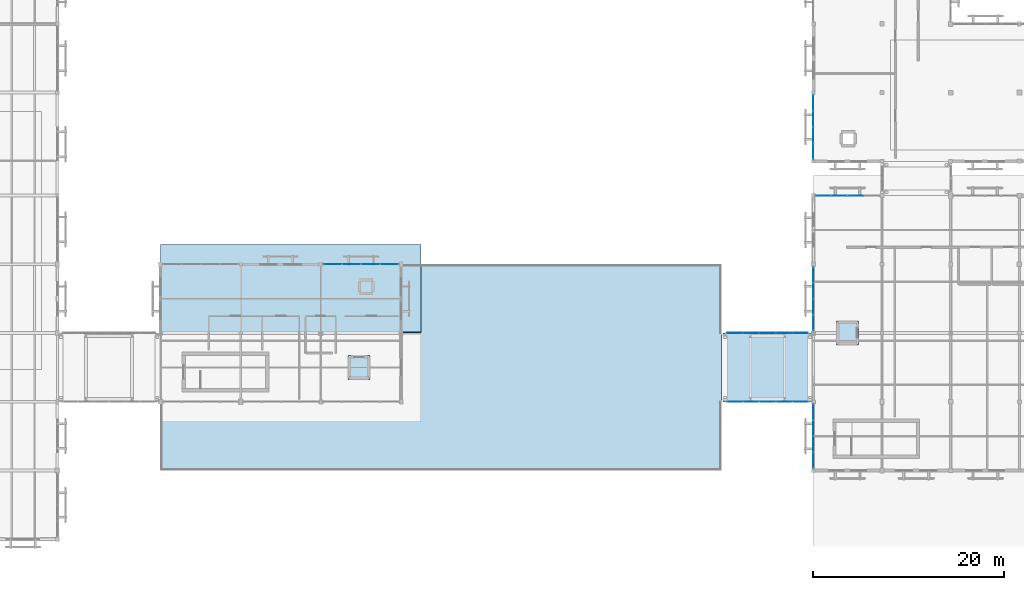
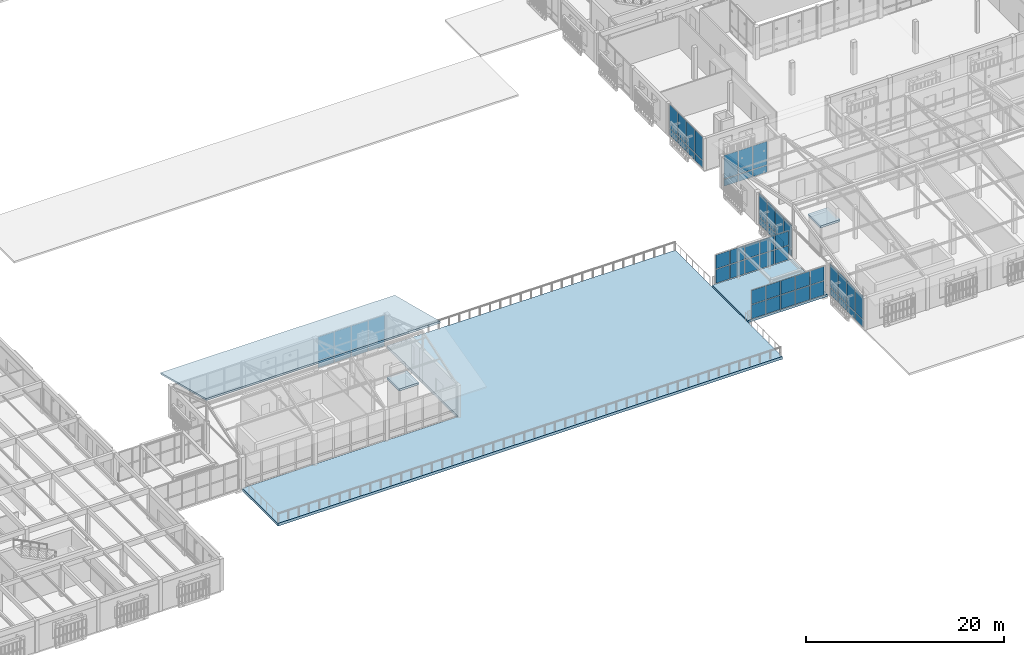
# One storey, part 73 of 112: 58 plates, 5 slabs, 7 elements without a shape of their own.
"""IFC4 building model written with IfcOpenShell, lengths in metres."""

from ifc_helpers import new_model, si_unit, direction, frame, origin, origin_2d, place, context, subcontext, project, spatial, polyline, rectangle, outline, extrude, material, layer, layer_set, type_object, element, aggregate, save


model = new_model("IFC4")

# Units and contexts
model_context = context("Model", 3, precision=1e-05, world=origin(), true_north=direction((0.0, 1.0)))
body_context = subcontext(model_context, "Body", "Model", "MODEL_VIEW")
ifc_project = project(units=[si_unit("LENGTHUNIT", "METRE"), si_unit("AREAUNIT", "SQUARE_METRE"), si_unit("VOLUMEUNIT", "CUBIC_METRE"), si_unit("PLANEANGLEUNIT", "RADIAN"), si_unit("MASSUNIT", "GRAM", prefix="KILO")], contexts=[model_context])

# Site, building, storey
site_placement = place(None, origin())
site = spatial("IfcSite", under=ifc_project, at=site_placement, CompositionType="ELEMENT")
building_placement = place(site_placement, origin())
building = spatial("IfcBuilding", under=site, at=building_placement, Name="Mazaris Harbour Polytechnic", CompositionType="ELEMENT")
storey_placement = place(building_placement, frame((0.0, 0.0, 13.800048828125)))
storey = spatial("IfcBuildingStorey", under=building, at=storey_placement, Name="L03", CompositionType="ELEMENT", Elevation=13.800048828125)

# Slabs
ifc_material_1 = material(Name="Glulam GL28h and Concrete C30/37", Category="concrete")
ifc_layer_1 = layer(ifc_material_1, 0.264892578125, Name="Glulam GL28h and Concrete C30/37")
ifc_layer_set_1 = layer_set([ifc_layer_1], Name="Glulam GL28h and Concrete C30/37")
slab_type_1 = type_object("IfcSlabType", Name="CLT Composite Floor 265", PredefinedType="FLOOR", material=ifc_layer_set_1)
slab_1_placement = place(storey_placement, frame((0.0, 0.0, -0.26513671875)))
element("IfcSlab", 1, at=slab_1_placement, inside=storey, type_object=slab_type_1, Name="PB-E1 L03 Bridge Deck", PredefinedType="FLOOR", context=body_context, shape_type="SweptSolid", body=[
    extrude(outline(polyline([(122.25, 21.60009765625), (122.25, 28.800048828125), (112.949951171875, 28.800048828125), (112.949951171875, 21.60009765625), (122.25, 21.60009765625)])), origin(), (0.0, 0.0, 1.0), 0.26513671875),
])
ifc_material_2 = material(Name="Glulam GL28h and Concrete C30/37", Category="concrete")
ifc_layer_2 = layer(ifc_material_2, 0.239990234375, Name="Glulam GL28h and Concrete C30/37")
ifc_layer_set_2 = layer_set([ifc_layer_2], Name="Glulam GL28h and Concrete C30/37")
slab_type_2 = type_object("IfcSlabType", Name="Insulated Flat Roof Slab 240", PredefinedType="ROOF", material=ifc_layer_set_2)
slab_2_placement = place(storey_placement, frame((0.0, 0.0, 3.639892578125)))
element("IfcSlab", 2, at=slab_2_placement, inside=storey, type_object=slab_type_2, Name="Lift LP-02 Overrun Roof Cap", PredefinedType="ROOF", context=body_context, shape_type="SweptSolid", body=[
    extrude(outline(polyline([(127.14990234375, 27.550048828125), (127.14990234375, 30.050048828125), (124.85009765625, 30.050048828125), (124.85009765625, 27.550048828125), (127.14990234375, 27.550048828125)])), origin(), (0.0, 0.0, 1.0), 0.239990234375),
])
slab_3_placement = place(storey_placement, frame((0.0, 0.0, 3.639892578125)))
element("IfcSlab", 3, at=slab_3_placement, inside=storey, type_object=slab_type_2, Name="Lift LP-03 Overrun Roof Cap", PredefinedType="ROOF", context=body_context, shape_type="SweptSolid", body=[
    extrude(outline(polyline([(75.949951171875, 23.949951171875), (75.949951171875, 26.449951171875), (73.64990234375, 26.449951171875), (73.64990234375, 23.949951171875), (75.949951171875, 23.949951171875)])), origin(), (0.0, 0.0, 1.0), 0.239990234375),
])

# Curtain wall, plates
ifc_material_3 = material(Name="Anodised Bronze Aluminium and Low-E Glass", Category="aluminium")
ifc_layer_3 = layer(ifc_material_3, 0.159912109375, Name="Anodised Bronze Aluminium and Low-E Glass")
ifc_layer_set_3 = layer_set([ifc_layer_3], Name="Anodised Bronze Aluminium and Low-E Glass")
curtain_wall_type_1 = type_object("IfcCurtainWallType", Name="Cloister Court Curtain Wall", PredefinedType="NOTDEFINED", material=ifc_layer_set_3)
curtain_wall_1_placement = place(storey_placement, origin())
curtain_wall_1 = element("IfcCurtainWall", 4, at=curtain_wall_1_placement, inside=storey, type_object=curtain_wall_type_1, Name="V2 L03 Curtain Wall 55", PredefinedType="NOTDEFINED")
ifc_material_4 = material(Name="Low-E Double Glazing", Category="glass")
ifc_layer_4 = layer(ifc_material_4, 0.028076171875, Name="Low-E Double Glazing")
ifc_layer_set_4 = layer_set([ifc_layer_4], Name="Low-E Double Glazing")
plate_type_1 = type_object("IfcPlateType", Name="Low-E Vision Glass Panel 28", PredefinedType="CURTAIN_PANEL", material=ifc_layer_set_4)
plate_1_placement = place(storey_placement, frame((123.4453125, 43.199951171875, 0.079833984375), z_axis=(0.0, 0.0, 1.0), x_axis=(1.0, 0.0, 0.0)))
plate_1 = element("IfcPlate", 5, at=plate_1_placement, type_object=plate_type_1, Name="CW-02 panel 1.1", PredefinedType="CURTAIN_PANEL", context=body_context, shape_type="SweptSolid", body=[
    extrude(rectangle(XDim=1.58642578125, YDim=0.028076171875, at=origin_2d()), origin(), (0.0, 0.0, 1.0), 0.830078125),
])
plate_2_placement = place(storey_placement, frame((123.4453125, 43.199951171875, 0.990234375), z_axis=(0.0, 0.0, 1.0), x_axis=(1.0, 0.0, 0.0)))
plate_2 = element("IfcPlate", 6, at=plate_2_placement, type_object=plate_type_1, Name="CW-02 panel 1.2", PredefinedType="CURTAIN_PANEL", context=body_context, shape_type="SweptSolid", body=[
    extrude(rectangle(XDim=1.58642578125, YDim=0.028076171875, at=origin_2d()), origin(), (0.0, 0.0, 1.0), 2.889892578125),
])
plate_3_placement = place(storey_placement, frame((125.1318359375, 43.199951171875, 0.079833984375), z_axis=(0.0, 0.0, 1.0), x_axis=(1.0, 0.0, 0.0)))
plate_3 = element("IfcPlate", 7, at=plate_3_placement, type_object=plate_type_1, Name="CW-02 panel 2.1", PredefinedType="CURTAIN_PANEL", context=body_context, shape_type="SweptSolid", body=[
    extrude(rectangle(XDim=1.62646484375, YDim=0.028076171875, at=origin_2d()), origin(), (0.0, 0.0, 1.0), 0.830078125),
])
plate_4_placement = place(storey_placement, frame((125.1318359375, 43.199951171875, 0.990234375), z_axis=(0.0, 0.0, 1.0), x_axis=(1.0, 0.0, 0.0)))
plate_4 = element("IfcPlate", 8, at=plate_4_placement, type_object=plate_type_1, Name="CW-02 panel 2.2", PredefinedType="CURTAIN_PANEL", context=body_context, shape_type="SweptSolid", body=[
    extrude(rectangle(XDim=1.62646484375, YDim=0.028076171875, at=origin_2d()), origin(), (0.0, 0.0, 1.0), 2.889892578125),
])
plate_5_placement = place(storey_placement, frame((126.838134765625, 43.199951171875, 0.079833984375), z_axis=(0.0, 0.0, 1.0), x_axis=(1.0, 0.0, 0.0)))
plate_5 = element("IfcPlate", 9, at=plate_5_placement, type_object=plate_type_1, Name="CW-02 panel 3.1", PredefinedType="CURTAIN_PANEL", context=body_context, shape_type="SweptSolid", body=[
    extrude(rectangle(XDim=1.62646484375, YDim=0.028076171875, at=origin_2d()), origin(), (0.0, 0.0, 1.0), 0.830078125),
])
plate_6_placement = place(storey_placement, frame((126.838134765625, 43.199951171875, 0.990234375), z_axis=(0.0, 0.0, 1.0), x_axis=(1.0, 0.0, 0.0)))
plate_6 = element("IfcPlate", 10, at=plate_6_placement, type_object=plate_type_1, Name="CW-02 panel 3.2", PredefinedType="CURTAIN_PANEL", context=body_context, shape_type="SweptSolid", body=[
    extrude(rectangle(XDim=1.62646484375, YDim=0.028076171875, at=origin_2d()), origin(), (0.0, 0.0, 1.0), 2.889892578125),
])
aggregate(curtain_wall_1, [plate_1, plate_2, plate_3, plate_4, plate_5, plate_6])

curtain_wall_2_placement = place(storey_placement, origin())
curtain_wall_2 = element("IfcCurtainWall", 11, at=curtain_wall_2_placement, inside=storey, type_object=curtain_wall_type_1, Name="V2 L03 Curtain Wall 58", PredefinedType="NOTDEFINED")
plate_7_placement = place(storey_placement, frame((122.39990234375, 15.4541015625, 0.079833984375), z_axis=(0.0, 0.0, 1.0), x_axis=(0.0, 1.0, 0.0)))
plate_7 = element("IfcPlate", 12, at=plate_7_placement, type_object=plate_type_1, Name="CW-02 panel 1.1", PredefinedType="CURTAIN_PANEL", context=body_context, shape_type="SweptSolid", body=[
    extrude(rectangle(XDim=1.583984375, YDim=0.028076171875, at=origin_2d()), origin(), (0.0, 0.0, 1.0), 0.830078125),
])
plate_8_placement = place(storey_placement, frame((122.39990234375, 15.4541015625, 0.990234375), z_axis=(0.0, 0.0, 1.0), x_axis=(0.0, 1.0, 0.0)))
plate_8 = element("IfcPlate", 13, at=plate_8_placement, type_object=plate_type_1, Name="CW-02 panel 1.2", PredefinedType="CURTAIN_PANEL", context=body_context, shape_type="SweptSolid", body=[
    extrude(rectangle(XDim=1.583984375, YDim=0.028076171875, at=origin_2d()), origin(), (0.0, 0.0, 1.0), 2.889892578125),
])
plate_9_placement = place(storey_placement, frame((122.39990234375, 17.137939453125, 0.079833984375), z_axis=(0.0, 0.0, 1.0), x_axis=(0.0, 1.0, 0.0)))
plate_9 = element("IfcPlate", 14, at=plate_9_placement, type_object=plate_type_1, Name="CW-02 panel 2.1", PredefinedType="CURTAIN_PANEL", context=body_context, shape_type="SweptSolid", body=[
    extrude(rectangle(XDim=1.6240234375, YDim=0.028076171875, at=origin_2d()), origin(), (0.0, 0.0, 1.0), 0.830078125),
])
plate_10_placement = place(storey_placement, frame((122.39990234375, 17.137939453125, 0.990234375), z_axis=(0.0, 0.0, 1.0), x_axis=(0.0, 1.0, 0.0)))
plate_10 = element("IfcPlate", 15, at=plate_10_placement, type_object=plate_type_1, Name="CW-02 panel 2.2", PredefinedType="CURTAIN_PANEL", context=body_context, shape_type="SweptSolid", body=[
    extrude(rectangle(XDim=1.6240234375, YDim=0.028076171875, at=origin_2d()), origin(), (0.0, 0.0, 1.0), 2.889892578125),
])
plate_11_placement = place(storey_placement, frame((122.39990234375, 18.842041015625, 0.079833984375), z_axis=(0.0, 0.0, 1.0), x_axis=(0.0, 1.0, 0.0)))
plate_11 = element("IfcPlate", 16, at=plate_11_placement, type_object=plate_type_1, Name="CW-02 panel 3.1", PredefinedType="CURTAIN_PANEL", context=body_context, shape_type="SweptSolid", body=[
    extrude(rectangle(XDim=1.6240234375, YDim=0.028076171875, at=origin_2d()), origin(), (0.0, 0.0, 1.0), 0.830078125),
])
plate_12_placement = place(storey_placement, frame((122.39990234375, 18.842041015625, 0.990234375), z_axis=(0.0, 0.0, 1.0), x_axis=(0.0, 1.0, 0.0)))
plate_12 = element("IfcPlate", 17, at=plate_12_placement, type_object=plate_type_1, Name="CW-02 panel 3.2", PredefinedType="CURTAIN_PANEL", context=body_context, shape_type="SweptSolid", body=[
    extrude(rectangle(XDim=1.6240234375, YDim=0.028076171875, at=origin_2d()), origin(), (0.0, 0.0, 1.0), 2.889892578125),
])
plate_13_placement = place(storey_placement, frame((122.39990234375, 20.52587890625, 0.079833984375), z_axis=(0.0, 0.0, 1.0), x_axis=(0.0, 1.0, 0.0)))
plate_13 = element("IfcPlate", 18, at=plate_13_placement, type_object=plate_type_1, Name="CW-02 panel 4.1", PredefinedType="CURTAIN_PANEL", context=body_context, shape_type="SweptSolid", body=[
    extrude(rectangle(XDim=1.583984375, YDim=0.028076171875, at=origin_2d()), origin(), (0.0, 0.0, 1.0), 0.830078125),
])
plate_14_placement = place(storey_placement, frame((122.39990234375, 20.52587890625, 0.990234375), z_axis=(0.0, 0.0, 1.0), x_axis=(0.0, 1.0, 0.0)))
plate_14 = element("IfcPlate", 19, at=plate_14_placement, type_object=plate_type_1, Name="CW-02 panel 4.2", PredefinedType="CURTAIN_PANEL", context=body_context, shape_type="SweptSolid", body=[
    extrude(rectangle(XDim=1.583984375, YDim=0.028076171875, at=origin_2d()), origin(), (0.0, 0.0, 1.0), 2.889892578125),
])
aggregate(curtain_wall_2, [plate_7, plate_8, plate_9, plate_10, plate_11, plate_12, plate_13, plate_14])

curtain_wall_3_placement = place(storey_placement, origin())
curtain_wall_3 = element("IfcCurtainWall", 20, at=curtain_wall_3_placement, inside=storey, type_object=curtain_wall_type_1, Name="V2 L03 Curtain Wall 59", PredefinedType="NOTDEFINED")
plate_15_placement = place(storey_placement, frame((122.39990234375, 29.884033203125, 0.079833984375), z_axis=(0.0, 0.0, 1.0), x_axis=(0.0, 1.0, 0.0)))
plate_15 = element("IfcPlate", 21, at=plate_15_placement, type_object=plate_type_1, Name="CW-02 panel 1.1", PredefinedType="CURTAIN_PANEL", context=body_context, shape_type="SweptSolid", body=[
    extrude(rectangle(XDim=1.56396484375, YDim=0.028076171875, at=origin_2d()), origin(), (0.0, 0.0, 1.0), 0.830078125),
])
plate_16_placement = place(storey_placement, frame((122.39990234375, 29.884033203125, 0.990234375), z_axis=(0.0, 0.0, 1.0), x_axis=(0.0, 1.0, 0.0)))
plate_16 = element("IfcPlate", 22, at=plate_16_placement, type_object=plate_type_1, Name="CW-02 panel 1.2", PredefinedType="CURTAIN_PANEL", context=body_context, shape_type="SweptSolid", body=[
    extrude(rectangle(XDim=1.56396484375, YDim=0.028076171875, at=origin_2d()), origin(), (0.0, 0.0, 1.0), 2.889892578125),
])
plate_17_placement = place(storey_placement, frame((122.39990234375, 31.548095703125, 0.079833984375), z_axis=(0.0, 0.0, 1.0), x_axis=(0.0, 1.0, 0.0)))
plate_17 = element("IfcPlate", 23, at=plate_17_placement, type_object=plate_type_1, Name="CW-02 panel 2.1", PredefinedType="CURTAIN_PANEL", context=body_context, shape_type="SweptSolid", body=[
    extrude(rectangle(XDim=1.60400390625, YDim=0.028076171875, at=origin_2d()), origin(), (0.0, 0.0, 1.0), 0.830078125),
])
plate_18_placement = place(storey_placement, frame((122.39990234375, 31.548095703125, 0.990234375), z_axis=(0.0, 0.0, 1.0), x_axis=(0.0, 1.0, 0.0)))
plate_18 = element("IfcPlate", 24, at=plate_18_placement, type_object=plate_type_1, Name="CW-02 panel 2.2", PredefinedType="CURTAIN_PANEL", context=body_context, shape_type="SweptSolid", body=[
    extrude(rectangle(XDim=1.60400390625, YDim=0.028076171875, at=origin_2d()), origin(), (0.0, 0.0, 1.0), 2.889892578125),
])
plate_19_placement = place(storey_placement, frame((122.39990234375, 33.23193359375, 0.079833984375), z_axis=(0.0, 0.0, 1.0), x_axis=(0.0, 1.0, 0.0)))
plate_19 = element("IfcPlate", 25, at=plate_19_placement, type_object=plate_type_1, Name="CW-02 panel 3.1", PredefinedType="CURTAIN_PANEL", context=body_context, shape_type="SweptSolid", body=[
    extrude(rectangle(XDim=1.60400390625, YDim=0.028076171875, at=origin_2d()), origin(), (0.0, 0.0, 1.0), 0.830078125),
])
plate_20_placement = place(storey_placement, frame((122.39990234375, 33.23193359375, 0.990234375), z_axis=(0.0, 0.0, 1.0), x_axis=(0.0, 1.0, 0.0)))
plate_20 = element("IfcPlate", 26, at=plate_20_placement, type_object=plate_type_1, Name="CW-02 panel 3.2", PredefinedType="CURTAIN_PANEL", context=body_context, shape_type="SweptSolid", body=[
    extrude(rectangle(XDim=1.60400390625, YDim=0.028076171875, at=origin_2d()), origin(), (0.0, 0.0, 1.0), 2.889892578125),
])
plate_21_placement = place(storey_placement, frame((122.39990234375, 34.89599609375, 0.079833984375), z_axis=(0.0, 0.0, 1.0), x_axis=(0.0, 1.0, 0.0)))
plate_21 = element("IfcPlate", 27, at=plate_21_placement, type_object=plate_type_1, Name="CW-02 panel 4.1", PredefinedType="CURTAIN_PANEL", context=body_context, shape_type="SweptSolid", body=[
    extrude(rectangle(XDim=1.56396484375, YDim=0.028076171875, at=origin_2d()), origin(), (0.0, 0.0, 1.0), 0.830078125),
])
plate_22_placement = place(storey_placement, frame((122.39990234375, 34.89599609375, 0.990234375), z_axis=(0.0, 0.0, 1.0), x_axis=(0.0, 1.0, 0.0)))
plate_22 = element("IfcPlate", 28, at=plate_22_placement, type_object=plate_type_1, Name="CW-02 panel 4.2", PredefinedType="CURTAIN_PANEL", context=body_context, shape_type="SweptSolid", body=[
    extrude(rectangle(XDim=1.56396484375, YDim=0.028076171875, at=origin_2d()), origin(), (0.0, 0.0, 1.0), 2.889892578125),
])
aggregate(curtain_wall_3, [plate_15, plate_16, plate_17, plate_18, plate_19, plate_20, plate_21, plate_22])

curtain_wall_4_placement = place(storey_placement, origin())
curtain_wall_4 = element("IfcCurtainWall", 29, at=curtain_wall_4_placement, inside=storey, type_object=curtain_wall_type_1, Name="V3 L03 Curtain Wall 94", PredefinedType="NOTDEFINED")
plate_23_placement = place(storey_placement, frame((72.05517578125, 36.0, 0.079833984375), z_axis=(0.0, 0.0, 1.0), x_axis=(1.0, 0.0, 0.0)))
plate_23 = element("IfcPlate", 30, at=plate_23_placement, type_object=plate_type_1, Name="CW-02 panel 1.1", PredefinedType="CURTAIN_PANEL", context=body_context, shape_type="SweptSolid", body=[
    extrude(rectangle(XDim=1.866455078125, YDim=0.028076171875, at=origin_2d()), origin(), (0.0, 0.0, 1.0), 0.830078125),
])
plate_24_placement = place(storey_placement, frame((72.05517578125, 36.0, 0.990234375), z_axis=(0.0, 0.0, 1.0), x_axis=(1.0, 0.0, 0.0)))
plate_24 = element("IfcPlate", 31, at=plate_24_placement, type_object=plate_type_1, Name="CW-02 panel 1.2", PredefinedType="CURTAIN_PANEL", context=body_context, shape_type="SweptSolid", body=[
    extrude(rectangle(XDim=1.866455078125, YDim=0.028076171875, at=origin_2d()), origin(), (0.0, 0.0, 1.0), 2.889892578125),
])
plate_25_placement = place(storey_placement, frame((74.021728515625, 36.0, 0.079833984375), z_axis=(0.0, 0.0, 1.0), x_axis=(1.0, 0.0, 0.0)))
plate_25 = element("IfcPlate", 32, at=plate_25_placement, type_object=plate_type_1, Name="CW-02 panel 2.1", PredefinedType="CURTAIN_PANEL", context=body_context, shape_type="SweptSolid", body=[
    extrude(rectangle(XDim=1.906494140625, YDim=0.028076171875, at=origin_2d()), origin(), (0.0, 0.0, 1.0), 0.830078125),
])
plate_26_placement = place(storey_placement, frame((74.021728515625, 36.0, 0.990234375), z_axis=(0.0, 0.0, 1.0), x_axis=(1.0, 0.0, 0.0)))
plate_26 = element("IfcPlate", 33, at=plate_26_placement, type_object=plate_type_1, Name="CW-02 panel 2.2", PredefinedType="CURTAIN_PANEL", context=body_context, shape_type="SweptSolid", body=[
    extrude(rectangle(XDim=1.906494140625, YDim=0.028076171875, at=origin_2d()), origin(), (0.0, 0.0, 1.0), 2.889892578125),
])
plate_27_placement = place(storey_placement, frame((76.00830078125, 36.0, 0.079833984375), z_axis=(0.0, 0.0, 1.0), x_axis=(1.0, 0.0, 0.0)))
plate_27 = element("IfcPlate", 34, at=plate_27_placement, type_object=plate_type_1, Name="CW-02 panel 3.1", PredefinedType="CURTAIN_PANEL", context=body_context, shape_type="SweptSolid", body=[
    extrude(rectangle(XDim=1.906494140625, YDim=0.028076171875, at=origin_2d()), origin(), (0.0, 0.0, 1.0), 0.830078125),
])
plate_28_placement = place(storey_placement, frame((76.00830078125, 36.0, 0.990234375), z_axis=(0.0, 0.0, 1.0), x_axis=(1.0, 0.0, 0.0)))
plate_28 = element("IfcPlate", 35, at=plate_28_placement, type_object=plate_type_1, Name="CW-02 panel 3.2", PredefinedType="CURTAIN_PANEL", context=body_context, shape_type="SweptSolid", body=[
    extrude(rectangle(XDim=1.906494140625, YDim=0.028076171875, at=origin_2d()), origin(), (0.0, 0.0, 1.0), 2.889892578125),
])
plate_29_placement = place(storey_placement, frame((77.974853515625, 36.0, 0.079833984375), z_axis=(0.0, 0.0, 1.0), x_axis=(1.0, 0.0, 0.0)))
plate_29 = element("IfcPlate", 36, at=plate_29_placement, type_object=plate_type_1, Name="CW-02 panel 4.1", PredefinedType="CURTAIN_PANEL", context=body_context, shape_type="SweptSolid", body=[
    extrude(rectangle(XDim=1.866455078125, YDim=0.028076171875, at=origin_2d()), origin(), (0.0, 0.0, 1.0), 0.830078125),
])
plate_30_placement = place(storey_placement, frame((77.974853515625, 36.0, 0.990234375), z_axis=(0.0, 0.0, 1.0), x_axis=(1.0, 0.0, 0.0)))
plate_30 = element("IfcPlate", 37, at=plate_30_placement, type_object=plate_type_1, Name="CW-02 panel 4.2", PredefinedType="CURTAIN_PANEL", context=body_context, shape_type="SweptSolid", body=[
    extrude(rectangle(XDim=1.866455078125, YDim=0.028076171875, at=origin_2d()), origin(), (0.0, 0.0, 1.0), 2.889892578125),
])
aggregate(curtain_wall_4, [plate_23, plate_24, plate_25, plate_26, plate_27, plate_28, plate_29, plate_30])

ifc_material_5 = material(Name="Anodised Bronze Aluminium and Low-E Glass", Category="aluminium")
ifc_layer_5 = layer(ifc_material_5, 0.139892578125, Name="Anodised Bronze Aluminium and Low-E Glass")
ifc_layer_set_5 = layer_set([ifc_layer_5], Name="Anodised Bronze Aluminium and Low-E Glass")
curtain_wall_type_2 = type_object("IfcCurtainWallType", Name="Seismic Link Bridge Glazing", PredefinedType="NOTDEFINED", material=ifc_layer_set_5)
curtain_wall_5_placement = place(storey_placement, origin())
curtain_wall_5 = element("IfcCurtainWall", 38, at=curtain_wall_5_placement, inside=storey, type_object=curtain_wall_type_2, Name="PB-E1 L03 Bridge Glazing", PredefinedType="NOTDEFINED")
plate_31_placement = place(storey_placement, frame((114.1640625, 21.60009765625, 0.080078125), z_axis=(0.0, 0.0, 1.0), x_axis=(1.0, 0.0, 0.0)))
plate_31 = element("IfcPlate", 39, at=plate_31_placement, type_object=plate_type_1, Name="CW-05 panel 1.1", PredefinedType="CURTAIN_PANEL", context=body_context, shape_type="SweptSolid", body=[
    extrude(rectangle(XDim=1.60791015625, YDim=0.028076171875, at=origin_2d()), origin(), (0.0, 0.0, 1.0), 1.7099609375),
])
plate_32_placement = place(storey_placement, frame((114.1640625, 21.60009765625, 1.869873046875), z_axis=(0.0, 0.0, 1.0), x_axis=(1.0, 0.0, 0.0)))
plate_32 = element("IfcPlate", 40, at=plate_32_placement, type_object=plate_type_1, Name="CW-05 panel 1.2", PredefinedType="CURTAIN_PANEL", context=body_context, shape_type="SweptSolid", body=[
    extrude(rectangle(XDim=1.60791015625, YDim=0.028076171875, at=origin_2d()), origin(), (0.0, 0.0, 1.0), 1.7099609375),
])
plate_33_placement = place(storey_placement, frame((115.8720703125, 21.60009765625, 0.080078125), z_axis=(0.0, 0.0, 1.0), x_axis=(1.0, 0.0, 0.0)))
plate_33 = element("IfcPlate", 41, at=plate_33_placement, type_object=plate_type_1, Name="CW-05 panel 2.1", PredefinedType="CURTAIN_PANEL", context=body_context, shape_type="SweptSolid", body=[
    extrude(rectangle(XDim=1.64794921875, YDim=0.028076171875, at=origin_2d()), origin(), (0.0, 0.0, 1.0), 1.7099609375),
])
plate_34_placement = place(storey_placement, frame((115.8720703125, 21.60009765625, 1.869873046875), z_axis=(0.0, 0.0, 1.0), x_axis=(1.0, 0.0, 0.0)))
plate_34 = element("IfcPlate", 42, at=plate_34_placement, type_object=plate_type_1, Name="CW-05 panel 2.2", PredefinedType="CURTAIN_PANEL", context=body_context, shape_type="SweptSolid", body=[
    extrude(rectangle(XDim=1.64794921875, YDim=0.028076171875, at=origin_2d()), origin(), (0.0, 0.0, 1.0), 1.7099609375),
])
plate_35_placement = place(storey_placement, frame((117.60009765625, 21.60009765625, 0.080078125), z_axis=(0.0, 0.0, 1.0), x_axis=(1.0, 0.0, 0.0)))
plate_35 = element("IfcPlate", 43, at=plate_35_placement, type_object=plate_type_1, Name="CW-05 panel 3.1", PredefinedType="CURTAIN_PANEL", context=body_context, shape_type="SweptSolid", body=[
    extrude(rectangle(XDim=1.64794921875, YDim=0.028076171875, at=origin_2d()), origin(), (0.0, 0.0, 1.0), 1.7099609375),
])
plate_36_placement = place(storey_placement, frame((117.60009765625, 21.60009765625, 1.869873046875), z_axis=(0.0, 0.0, 1.0), x_axis=(1.0, 0.0, 0.0)))
plate_36 = element("IfcPlate", 44, at=plate_36_placement, type_object=plate_type_1, Name="CW-05 panel 3.2", PredefinedType="CURTAIN_PANEL", context=body_context, shape_type="SweptSolid", body=[
    extrude(rectangle(XDim=1.64794921875, YDim=0.028076171875, at=origin_2d()), origin(), (0.0, 0.0, 1.0), 1.7099609375),
])
plate_37_placement = place(storey_placement, frame((119.327880859375, 21.60009765625, 0.080078125), z_axis=(0.0, 0.0, 1.0), x_axis=(1.0, 0.0, 0.0)))
plate_37 = element("IfcPlate", 45, at=plate_37_placement, type_object=plate_type_1, Name="CW-05 panel 4.1", PredefinedType="CURTAIN_PANEL", context=body_context, shape_type="SweptSolid", body=[
    extrude(rectangle(XDim=1.64794921875, YDim=0.028076171875, at=origin_2d()), origin(), (0.0, 0.0, 1.0), 1.7099609375),
])
plate_38_placement = place(storey_placement, frame((119.327880859375, 21.60009765625, 1.869873046875), z_axis=(0.0, 0.0, 1.0), x_axis=(1.0, 0.0, 0.0)))
plate_38 = element("IfcPlate", 46, at=plate_38_placement, type_object=plate_type_1, Name="CW-05 panel 4.2", PredefinedType="CURTAIN_PANEL", context=body_context, shape_type="SweptSolid", body=[
    extrude(rectangle(XDim=1.64794921875, YDim=0.028076171875, at=origin_2d()), origin(), (0.0, 0.0, 1.0), 1.7099609375),
])
plate_39_placement = place(storey_placement, frame((121.035888671875, 21.60009765625, 0.080078125), z_axis=(0.0, 0.0, 1.0), x_axis=(1.0, 0.0, 0.0)))
plate_39 = element("IfcPlate", 47, at=plate_39_placement, type_object=plate_type_1, Name="CW-05 panel 5.1", PredefinedType="CURTAIN_PANEL", context=body_context, shape_type="SweptSolid", body=[
    extrude(rectangle(XDim=1.60791015625, YDim=0.028076171875, at=origin_2d()), origin(), (0.0, 0.0, 1.0), 1.7099609375),
])
plate_40_placement = place(storey_placement, frame((121.035888671875, 21.60009765625, 1.869873046875), z_axis=(0.0, 0.0, 1.0), x_axis=(1.0, 0.0, 0.0)))
plate_40 = element("IfcPlate", 48, at=plate_40_placement, type_object=plate_type_1, Name="CW-05 panel 5.2", PredefinedType="CURTAIN_PANEL", context=body_context, shape_type="SweptSolid", body=[
    extrude(rectangle(XDim=1.60791015625, YDim=0.028076171875, at=origin_2d()), origin(), (0.0, 0.0, 1.0), 1.7099609375),
])
aggregate(curtain_wall_5, [plate_31, plate_32, plate_33, plate_34, plate_35, plate_36, plate_37, plate_38, plate_39, plate_40])

curtain_wall_6_placement = place(storey_placement, origin())
curtain_wall_6 = element("IfcCurtainWall", 49, at=curtain_wall_6_placement, inside=storey, type_object=curtain_wall_type_2, Name="PB-E1 L03 Bridge Glazing", PredefinedType="NOTDEFINED")
plate_41_placement = place(storey_placement, frame((121.035888671875, 28.800048828125, 0.080078125), z_axis=(0.0, 0.0, 1.0), x_axis=(-1.0, 0.0, 0.0)))
plate_41 = element("IfcPlate", 50, at=plate_41_placement, type_object=plate_type_1, Name="CW-05 panel 1.1", PredefinedType="CURTAIN_PANEL", context=body_context, shape_type="SweptSolid", body=[
    extrude(rectangle(XDim=1.60791015625, YDim=0.028076171875, at=origin_2d()), origin(), (0.0, 0.0, 1.0), 1.7099609375),
])
plate_42_placement = place(storey_placement, frame((121.035888671875, 28.800048828125, 1.869873046875), z_axis=(0.0, 0.0, 1.0), x_axis=(-1.0, 0.0, 0.0)))
plate_42 = element("IfcPlate", 51, at=plate_42_placement, type_object=plate_type_1, Name="CW-05 panel 1.2", PredefinedType="CURTAIN_PANEL", context=body_context, shape_type="SweptSolid", body=[
    extrude(rectangle(XDim=1.60791015625, YDim=0.028076171875, at=origin_2d()), origin(), (0.0, 0.0, 1.0), 1.7099609375),
])
plate_43_placement = place(storey_placement, frame((119.327880859375, 28.800048828125, 0.080078125), z_axis=(0.0, 0.0, 1.0), x_axis=(-1.0, 0.0, 0.0)))
plate_43 = element("IfcPlate", 52, at=plate_43_placement, type_object=plate_type_1, Name="CW-05 panel 2.1", PredefinedType="CURTAIN_PANEL", context=body_context, shape_type="SweptSolid", body=[
    extrude(rectangle(XDim=1.64794921875, YDim=0.028076171875, at=origin_2d()), origin(), (0.0, 0.0, 1.0), 1.7099609375),
])
plate_44_placement = place(storey_placement, frame((119.327880859375, 28.800048828125, 1.869873046875), z_axis=(0.0, 0.0, 1.0), x_axis=(-1.0, 0.0, 0.0)))
plate_44 = element("IfcPlate", 53, at=plate_44_placement, type_object=plate_type_1, Name="CW-05 panel 2.2", PredefinedType="CURTAIN_PANEL", context=body_context, shape_type="SweptSolid", body=[
    extrude(rectangle(XDim=1.64794921875, YDim=0.028076171875, at=origin_2d()), origin(), (0.0, 0.0, 1.0), 1.7099609375),
])
plate_45_placement = place(storey_placement, frame((117.60009765625, 28.800048828125, 0.080078125), z_axis=(0.0, 0.0, 1.0), x_axis=(-1.0, 0.0, 0.0)))
plate_45 = element("IfcPlate", 54, at=plate_45_placement, type_object=plate_type_1, Name="CW-05 panel 3.1", PredefinedType="CURTAIN_PANEL", context=body_context, shape_type="SweptSolid", body=[
    extrude(rectangle(XDim=1.64794921875, YDim=0.028076171875, at=origin_2d()), origin(), (0.0, 0.0, 1.0), 1.7099609375),
])
plate_46_placement = place(storey_placement, frame((117.60009765625, 28.800048828125, 1.869873046875), z_axis=(0.0, 0.0, 1.0), x_axis=(-1.0, 0.0, 0.0)))
plate_46 = element("IfcPlate", 55, at=plate_46_placement, type_object=plate_type_1, Name="CW-05 panel 3.2", PredefinedType="CURTAIN_PANEL", context=body_context, shape_type="SweptSolid", body=[
    extrude(rectangle(XDim=1.64794921875, YDim=0.028076171875, at=origin_2d()), origin(), (0.0, 0.0, 1.0), 1.7099609375),
])
plate_47_placement = place(storey_placement, frame((115.8720703125, 28.800048828125, 0.080078125), z_axis=(0.0, 0.0, 1.0), x_axis=(-1.0, 0.0, 0.0)))
plate_47 = element("IfcPlate", 56, at=plate_47_placement, type_object=plate_type_1, Name="CW-05 panel 4.1", PredefinedType="CURTAIN_PANEL", context=body_context, shape_type="SweptSolid", body=[
    extrude(rectangle(XDim=1.64794921875, YDim=0.028076171875, at=origin_2d()), origin(), (0.0, 0.0, 1.0), 1.7099609375),
])
plate_48_placement = place(storey_placement, frame((115.8720703125, 28.800048828125, 1.869873046875), z_axis=(0.0, 0.0, 1.0), x_axis=(-1.0, 0.0, 0.0)))
plate_48 = element("IfcPlate", 57, at=plate_48_placement, type_object=plate_type_1, Name="CW-05 panel 4.2", PredefinedType="CURTAIN_PANEL", context=body_context, shape_type="SweptSolid", body=[
    extrude(rectangle(XDim=1.64794921875, YDim=0.028076171875, at=origin_2d()), origin(), (0.0, 0.0, 1.0), 1.7099609375),
])
plate_49_placement = place(storey_placement, frame((114.1640625, 28.800048828125, 0.080078125), z_axis=(0.0, 0.0, 1.0), x_axis=(-1.0, 0.0, 0.0)))
plate_49 = element("IfcPlate", 58, at=plate_49_placement, type_object=plate_type_1, Name="CW-05 panel 5.1", PredefinedType="CURTAIN_PANEL", context=body_context, shape_type="SweptSolid", body=[
    extrude(rectangle(XDim=1.60791015625, YDim=0.028076171875, at=origin_2d()), origin(), (0.0, 0.0, 1.0), 1.7099609375),
])
plate_50_placement = place(storey_placement, frame((114.1640625, 28.800048828125, 1.869873046875), z_axis=(0.0, 0.0, 1.0), x_axis=(-1.0, 0.0, 0.0)))
plate_50 = element("IfcPlate", 59, at=plate_50_placement, type_object=plate_type_1, Name="CW-05 panel 5.2", PredefinedType="CURTAIN_PANEL", context=body_context, shape_type="SweptSolid", body=[
    extrude(rectangle(XDim=1.60791015625, YDim=0.028076171875, at=origin_2d()), origin(), (0.0, 0.0, 1.0), 1.7099609375),
])
aggregate(curtain_wall_6, [plate_41, plate_42, plate_43, plate_44, plate_45, plate_46, plate_47, plate_48, plate_49, plate_50])

# Slabs
ifc_material_6 = material(Name="Glulam GL28h", Category="wood")
ifc_layer_6 = layer(ifc_material_6, 0.205078125, Name="Glulam GL28h")
ifc_layer_set_6 = layer_set([ifc_layer_6], Name="Glulam GL28h")
slab_type_3 = type_object("IfcSlabType", Name="Pavilion Pitched Roof Deck 205", PredefinedType="ROOF", material=ifc_layer_set_6)
slab_4_placement = place(storey_placement, frame((54.0, 28.919921875, 6.570068359375), z_axis=(0.0, 0.247999702243, 0.968760108431), x_axis=(1.0, 0.0, 0.0)))
element("IfcSlab", 60, at=slab_4_placement, inside=storey, type_object=slab_type_3, Name="V3 Refectory Pavilion North Roof Slope", PredefinedType="ROOF", context=body_context, shape_type="SweptSolid", body=[
    extrude(outline(polyline([(0.0, 0.0), (27.300048828125, 0.0), (27.300048828125, 9.476211604252027), (0.0, 9.476211604252027), (0.0, 0.0)])), origin(), (0.0, 0.0, -1.0), 0.205078125),
])
ifc_material_7 = material(Name="Concrete C35/45", Category="concrete")
ifc_layer_7 = layer(ifc_material_7, 0.340087890625, Name="Concrete C35/45")
ifc_layer_set_7 = layer_set([ifc_layer_7], Name="Concrete C35/45")
slab_type_4 = type_object("IfcSlabType", Name="Planted Roof Garden Deck 340", PredefinedType="FLOOR", material=ifc_layer_set_7)
slab_5_placement = place(storey_placement, frame((0.0, 0.0, -0.340087890625)))
element("IfcSlab", 61, at=slab_5_placement, inside=storey, type_object=slab_type_4, Name="V3 L03 Planted Roof Garden Slab", PredefinedType="FLOOR", context=body_context, shape_type="SweptSolid", body=[
    extrude(outline(polyline([(79.199951171875, 36.0), (112.800048828125, 36.0), (112.800048828125, 14.39990234375), (79.199951171875, 14.39990234375), (54.0, 14.39990234375), (54.0, 21.60009765625), (79.199951171875, 21.60009765625), (79.199951171875, 36.0)])), origin(), (0.0, 0.0, 1.0), 0.340087890625),
])

# Curtain wall, plates
ifc_material_8 = material(Name="Anodised Bronze Aluminium and Low-E Glass", Category="aluminium")
ifc_layer_8 = layer(ifc_material_8, 0.169921875, Name="Anodised Bronze Aluminium and Low-E Glass")
ifc_layer_set_8 = layer_set([ifc_layer_8], Name="Anodised Bronze Aluminium and Low-E Glass")
curtain_wall_type_3 = type_object("IfcCurtainWallType", Name="Studio North-Light Curtain Wall", PredefinedType="NOTDEFINED", material=ifc_layer_set_8)
curtain_wall_7_placement = place(storey_placement, origin())
curtain_wall_7 = element("IfcCurtainWall", 62, at=curtain_wall_7_placement, inside=storey, type_object=curtain_wall_type_3, Name="V5 L03 Curtain Wall 253", PredefinedType="NOTDEFINED")
ifc_material_9 = material(Name="Solar-Control Low-E Glazing", Category="glass")
ifc_layer_9 = layer(ifc_material_9, 0.031982421875, Name="Solar-Control Low-E Glazing")
ifc_layer_set_9 = layer_set([ifc_layer_9], Name="Solar-Control Low-E Glazing")
plate_type_2 = type_object("IfcPlateType", Name="Solar Control Studio Glass Panel 32", PredefinedType="CURTAIN_PANEL", material=ifc_layer_set_9)
plate_51_placement = place(storey_placement, frame((122.39990234375, 47.839111328125, 0.079833984375), z_axis=(0.0, 0.0, 1.0), x_axis=(0.0, 1.0, 0.0)))
plate_51 = element("IfcPlate", 63, at=plate_51_placement, type_object=plate_type_2, Name="CW-03 panel 1.1", PredefinedType="CURTAIN_PANEL", context=body_context, shape_type="SweptSolid", body=[
    extrude(rectangle(XDim=1.593994140625, YDim=0.031982421875, at=origin_2d()), origin(), (0.0, 0.0, 1.0), 0.830078125),
])
plate_52_placement = place(storey_placement, frame((122.39990234375, 47.839111328125, 0.98974609375), z_axis=(0.0, 0.0, 1.0), x_axis=(0.0, 1.0, 0.0)))
plate_52 = element("IfcPlate", 64, at=plate_52_placement, type_object=plate_type_2, Name="CW-03 panel 1.2", PredefinedType="CURTAIN_PANEL", context=body_context, shape_type="SweptSolid", body=[
    extrude(rectangle(XDim=1.593994140625, YDim=0.031982421875, at=origin_2d()), origin(), (0.0, 0.0, 1.0), 2.864990234375),
])
plate_53_placement = place(storey_placement, frame((122.39990234375, 49.532958984375, 0.079833984375), z_axis=(0.0, 0.0, 1.0), x_axis=(0.0, 1.0, 0.0)))
plate_53 = element("IfcPlate", 65, at=plate_53_placement, type_object=plate_type_2, Name="CW-03 panel 2.1", PredefinedType="CURTAIN_PANEL", context=body_context, shape_type="SweptSolid", body=[
    extrude(rectangle(XDim=1.634033203125, YDim=0.031982421875, at=origin_2d()), origin(), (0.0, 0.0, 1.0), 0.830078125),
])
plate_54_placement = place(storey_placement, frame((122.39990234375, 49.532958984375, 0.98974609375), z_axis=(0.0, 0.0, 1.0), x_axis=(0.0, 1.0, 0.0)))
plate_54 = element("IfcPlate", 66, at=plate_54_placement, type_object=plate_type_2, Name="CW-03 panel 2.2", PredefinedType="CURTAIN_PANEL", context=body_context, shape_type="SweptSolid", body=[
    extrude(rectangle(XDim=1.634033203125, YDim=0.031982421875, at=origin_2d()), origin(), (0.0, 0.0, 1.0), 2.864990234375),
])
plate_55_placement = place(storey_placement, frame((122.39990234375, 51.2470703125, 0.079833984375), z_axis=(0.0, 0.0, 1.0), x_axis=(0.0, 1.0, 0.0)))
plate_55 = element("IfcPlate", 67, at=plate_55_placement, type_object=plate_type_2, Name="CW-03 panel 3.1", PredefinedType="CURTAIN_PANEL", context=body_context, shape_type="SweptSolid", body=[
    extrude(rectangle(XDim=1.634033203125, YDim=0.031982421875, at=origin_2d()), origin(), (0.0, 0.0, 1.0), 0.830078125),
])
plate_56_placement = place(storey_placement, frame((122.39990234375, 51.2470703125, 0.98974609375), z_axis=(0.0, 0.0, 1.0), x_axis=(0.0, 1.0, 0.0)))
plate_56 = element("IfcPlate", 68, at=plate_56_placement, type_object=plate_type_2, Name="CW-03 panel 3.2", PredefinedType="CURTAIN_PANEL", context=body_context, shape_type="SweptSolid", body=[
    extrude(rectangle(XDim=1.634033203125, YDim=0.031982421875, at=origin_2d()), origin(), (0.0, 0.0, 1.0), 2.864990234375),
])
plate_57_placement = place(storey_placement, frame((122.39990234375, 52.94091796875, 0.079833984375), z_axis=(0.0, 0.0, 1.0), x_axis=(0.0, 1.0, 0.0)))
plate_57 = element("IfcPlate", 69, at=plate_57_placement, type_object=plate_type_2, Name="CW-03 panel 4.1", PredefinedType="CURTAIN_PANEL", context=body_context, shape_type="SweptSolid", body=[
    extrude(rectangle(XDim=1.593994140625, YDim=0.031982421875, at=origin_2d()), origin(), (0.0, 0.0, 1.0), 0.830078125),
])
plate_58_placement = place(storey_placement, frame((122.39990234375, 52.94091796875, 0.98974609375), z_axis=(0.0, 0.0, 1.0), x_axis=(0.0, 1.0, 0.0)))
plate_58 = element("IfcPlate", 70, at=plate_58_placement, type_object=plate_type_2, Name="CW-03 panel 4.2", PredefinedType="CURTAIN_PANEL", context=body_context, shape_type="SweptSolid", body=[
    extrude(rectangle(XDim=1.593994140625, YDim=0.031982421875, at=origin_2d()), origin(), (0.0, 0.0, 1.0), 2.864990234375),
])
aggregate(curtain_wall_7, [plate_51, plate_52, plate_53, plate_54, plate_55, plate_56, plate_57, plate_58])

save(model, "model.ifc")
